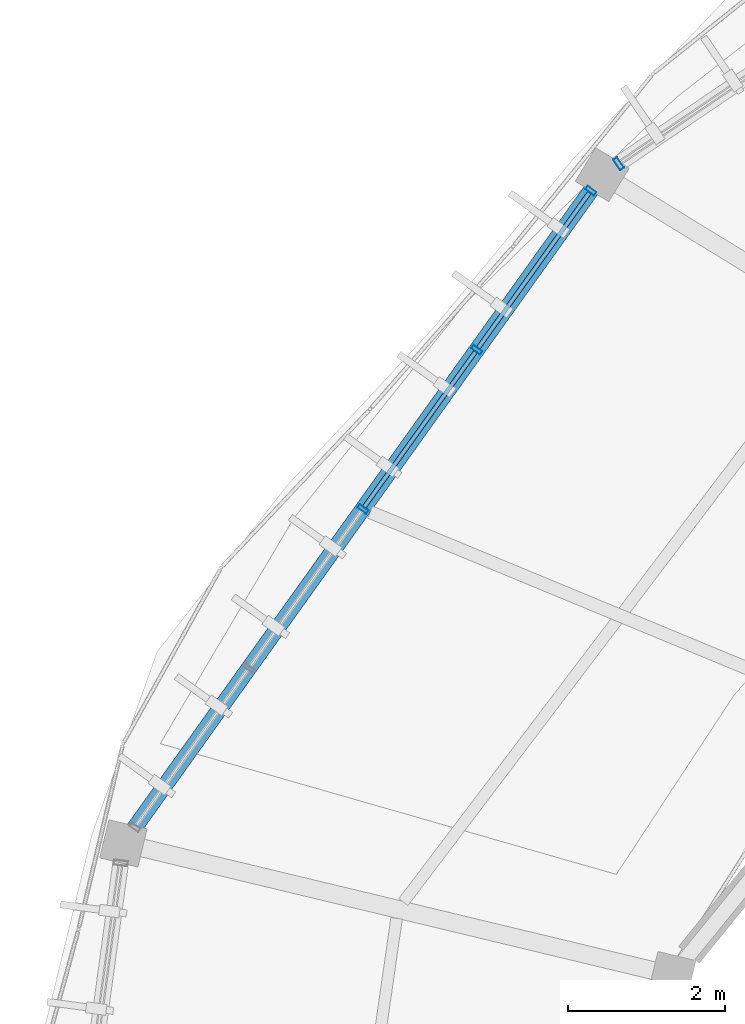
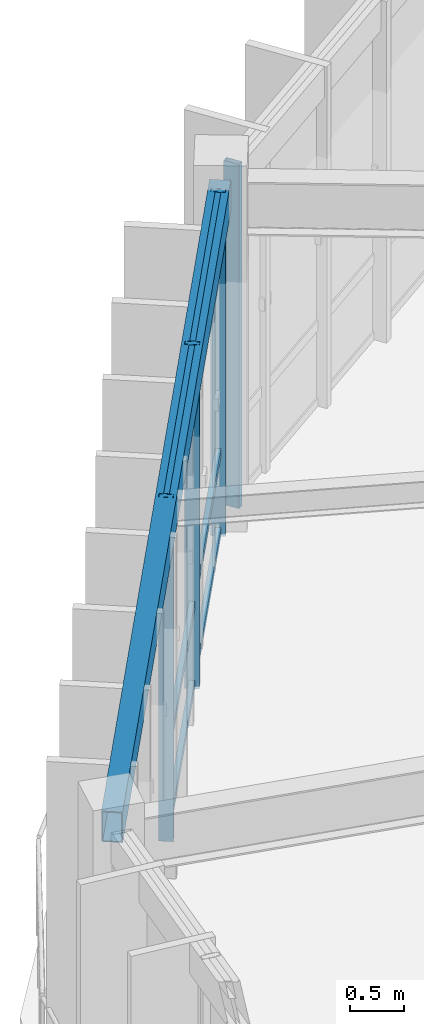
# One storey, part 25 of 78: 10 members, 1 beam, 2 elements without a shape of their own.
"""IFC4 building model written with IfcOpenShell, lengths in metres."""

from ifc_helpers import new_model, si_unit, direction, frame, origin, origin_2d, place, context, subcontext, project, spatial, hollow_rectangle, extrude, material, material_profile, profile_set, type_object, element, aggregate, save


model = new_model("IFC4")

# Units and contexts
model_context = context("Model", 3, precision=1e-05, world=origin(), true_north=direction((0.0, 1.0)))
body_context = subcontext(model_context, "Body", "Model", "MODEL_VIEW")
ifc_project = project(units=[si_unit("LENGTHUNIT", "METRE"), si_unit("AREAUNIT", "SQUARE_METRE"), si_unit("VOLUMEUNIT", "CUBIC_METRE"), si_unit("PLANEANGLEUNIT", "RADIAN"), si_unit("MASSUNIT", "GRAM", prefix="KILO"), si_unit("THERMODYNAMICTEMPERATUREUNIT", "KELVIN"), si_unit("POWERUNIT", "WATT")], contexts=[model_context])

# Site, building, storey
site_placement = place(None, origin())
site = spatial("IfcSite", under=ifc_project, at=site_placement, CompositionType="ELEMENT")
building_placement = place(site_placement, origin())
building = spatial("IfcBuilding", under=site, at=building_placement, Name="Darbajah Civic Hall", CompositionType="ELEMENT")
storey_placement = place(building_placement, frame((0.0, 0.0, 26.39990234375)))
storey = spatial("IfcBuildingStorey", under=building, at=storey_placement, Name="L06", CompositionType="ELEMENT", Elevation=26.39990234375)

# Curtain wall, members
ifc_material_1 = material(Name="Anodised Bronze Aluminium and Low-E Glazing", Category="aluminium")
curtain_wall_type_1 = type_object("IfcCurtainWallType", Name="Unitised Curtain Wall CW-88 10000x3900", PredefinedType="USERDEFINED", material=ifc_material_1)
curtain_wall_1_placement = place(storey_placement, origin())
curtain_wall_1 = element("IfcCurtainWall", 1, at=curtain_wall_1_placement, inside=storey, type_object=curtain_wall_type_1, Name="L06 unitised curtain wall CW-V1O-L06-08", ObjectType="UNITISED CURTAIN WALL", PredefinedType="USERDEFINED")
ifc_material_2 = material(Name="Anodised Bronze Aluminium", Category="aluminium")
ifc_material_profile_1 = material_profile(ifc_material_2, hollow_rectangle(XDim=0.054931640625, YDim=0.139892578125, WallThickness=0.003173828125, at=origin_2d()), Name="ALU MULLION 55x140")
ifc_profile_set_1 = profile_set([ifc_material_profile_1], Name="Anodised Bronze Aluminium")
member_type_1 = type_object("IfcMemberType", Name="ALU MULLION 55x140", PredefinedType="MULLION", material=ifc_profile_set_1)
member_1_placement = place(storey_placement, frame((45.46875, 105.0087890625, 0.0), z_axis=(0.0, 0.0, 1.0), x_axis=(-0.582264874145, -0.812999149039, 0.0)))
member_1 = element("IfcMember", 2, at=member_1_placement, type_object=member_type_1, Name="CW-V1O-L06-08 mullion 1", PredefinedType="MULLION", context=body_context, shape_type="SweptSolid", body=[
    extrude(hollow_rectangle(XDim=0.054931640625, YDim=0.139892578125, WallThickness=0.003173828125, at=origin_2d()), origin(), (0.0, 0.0, 1.0), 3.920166015625),
])
member_2_placement = place(storey_placement, frame((44.015380859375, 102.9794921875, 0.0), z_axis=(0.0, 0.0, 1.0), x_axis=(-0.582264874145, -0.812999149039, 0.0)))
member_2 = element("IfcMember", 3, at=member_2_placement, type_object=member_type_1, Name="CW-V1O-L06-08 mullion 2", PredefinedType="MULLION", context=body_context, shape_type="SweptSolid", body=[
    extrude(hollow_rectangle(XDim=0.054931640625, YDim=0.139892578125, WallThickness=0.003173828125, at=origin_2d()), origin(), (0.0, 0.0, 1.0), 3.920166015625),
])
member_3_placement = place(storey_placement, frame((42.562255859375, 100.9501953125, 0.0), z_axis=(0.0, 0.0, 1.0), x_axis=(-0.582264874145, -0.812999149039, 0.0)))
member_3 = element("IfcMember", 4, at=member_3_placement, type_object=member_type_1, Name="CW-V1O-L06-08 mullion 3", PredefinedType="MULLION", context=body_context, shape_type="SweptSolid", body=[
    extrude(hollow_rectangle(XDim=0.054931640625, YDim=0.139892578125, WallThickness=0.003173828125, at=origin_2d()), origin(), (0.0, 0.0, 1.0), 3.920166015625),
])

# Curtain wall, member
curtain_wall_type_2 = type_object("IfcCurtainWallType", Name="Unitised Curtain Wall CW-81 12000x3900", PredefinedType="USERDEFINED", material=ifc_material_1)
curtain_wall_2_placement = place(storey_placement, origin())
curtain_wall_2 = element("IfcCurtainWall", 5, at=curtain_wall_2_placement, inside=storey, type_object=curtain_wall_type_2, Name="L06 unitised curtain wall CW-V1O-L06-07", ObjectType="UNITISED CURTAIN WALL", PredefinedType="USERDEFINED")
ifc_material_profile_2 = material_profile(ifc_material_2, hollow_rectangle(XDim=0.06005859375, YDim=0.159912109375, WallThickness=0.00341796875, at=origin_2d()), Name="ALU MULLION 60x160")
ifc_profile_set_2 = profile_set([ifc_material_profile_2], Name="Anodised Bronze Aluminium")
member_type_2 = type_object("IfcMemberType", Name="ALU MULLION 60x160", PredefinedType="MULLION", material=ifc_profile_set_2)
member_4_placement = place(storey_placement, frame((45.82421875, 105.35498046875, 0.0), z_axis=(0.0, 0.0, 1.0), x_axis=(-0.827962472047, -0.560783509816, 0.0)))
member_4 = element("IfcMember", 6, at=member_4_placement, type_object=member_type_2, Name="CW-V1O-L06-07 mullion 5", PredefinedType="MULLION", context=body_context, shape_type="SweptSolid", body=[
    extrude(hollow_rectangle(XDim=0.06005859375, YDim=0.159912109375, WallThickness=0.00341796875, at=origin_2d()), origin(), (0.0, 0.0, 1.0), 3.920166015625),
])
aggregate(curtain_wall_2, [member_4])

# Member
ifc_material_profile_3 = material_profile(ifc_material_2, hollow_rectangle(XDim=0.054931640625, YDim=0.10009765625, WallThickness=0.0029296875, at=origin_2d()), Name="ALU TRANSOM 55x100")
ifc_profile_set_3 = profile_set([ifc_material_profile_3], Name="Anodised Bronze Aluminium")
member_type_3 = type_object("IfcMemberType", Name="ALU TRANSOM 55x100", PredefinedType="USERDEFINED", material=ifc_profile_set_3)
member_5_placement = place(storey_placement, frame((45.44970703125, 104.982421875, 0.050048828125), z_axis=(-0.5821782956, -0.813061149073, 0.0), x_axis=(0.813061149073, -0.5821782956, 0.0)))
member_5 = element("IfcMember", 7, at=member_5_placement, type_object=member_type_3, Name="CW-V1O-L06-08 transom 1.1", ObjectType="TRANSOM", PredefinedType="USERDEFINED", context=body_context, shape_type="SweptSolid", body=[
    extrude(hollow_rectangle(XDim=0.054931640625, YDim=0.10009765625, WallThickness=0.0029296875, at=origin_2d()), origin(), (0.0, 0.0, 1.0), 2.430908203125),
])

member_6_placement = place(storey_placement, frame((45.44970703125, 104.982421875, 0.9501953125), z_axis=(-0.5821782956, -0.813061149073, 0.0), x_axis=(0.813061149073, -0.5821782956, 0.0)))
member_6 = element("IfcMember", 8, at=member_6_placement, type_object=member_type_3, Name="CW-V1O-L06-08 transom 1.2", ObjectType="TRANSOM", PredefinedType="USERDEFINED", context=body_context, shape_type="SweptSolid", body=[
    extrude(hollow_rectangle(XDim=0.054931640625, YDim=0.10009765625, WallThickness=0.0029296875, at=origin_2d()), origin(), (0.0, 0.0, 1.0), 2.430908203125),
])

member_7_placement = place(storey_placement, frame((45.44970703125, 104.982421875, 3.8701171875), z_axis=(-0.5821782956, -0.813061149073, 0.0), x_axis=(0.813061149073, -0.5821782956, 0.0)))
member_7 = element("IfcMember", 9, at=member_7_placement, type_object=member_type_3, Name="CW-V1O-L06-08 transom 1.3", ObjectType="TRANSOM", PredefinedType="USERDEFINED", context=body_context, shape_type="SweptSolid", body=[
    extrude(hollow_rectangle(XDim=0.054931640625, YDim=0.10009765625, WallThickness=0.0029296875, at=origin_2d()), origin(), (0.0, 0.0, 1.0), 2.430908203125),
])

member_8_placement = place(storey_placement, frame((43.99658203125, 102.953125, 0.050048828125), z_axis=(-0.5821782956, -0.813061149073, 0.0), x_axis=(0.813061149073, -0.5821782956, 0.0)))
member_8 = element("IfcMember", 10, at=member_8_placement, type_object=member_type_3, Name="CW-V1O-L06-08 transom 2.1", ObjectType="TRANSOM", PredefinedType="USERDEFINED", context=body_context, shape_type="SweptSolid", body=[
    extrude(hollow_rectangle(XDim=0.054931640625, YDim=0.10009765625, WallThickness=0.0029296875, at=origin_2d()), origin(), (0.0, 0.0, 1.0), 2.430908203125),
])

member_9_placement = place(storey_placement, frame((43.99658203125, 102.953125, 0.9501953125), z_axis=(-0.5821782956, -0.813061149073, 0.0), x_axis=(0.813061149073, -0.5821782956, 0.0)))
member_9 = element("IfcMember", 11, at=member_9_placement, type_object=member_type_3, Name="CW-V1O-L06-08 transom 2.2", ObjectType="TRANSOM", PredefinedType="USERDEFINED", context=body_context, shape_type="SweptSolid", body=[
    extrude(hollow_rectangle(XDim=0.054931640625, YDim=0.10009765625, WallThickness=0.0029296875, at=origin_2d()), origin(), (0.0, 0.0, 1.0), 2.430908203125),
])

member_10_placement = place(storey_placement, frame((43.99658203125, 102.953125, 3.8701171875), z_axis=(-0.5821782956, -0.813061149073, 0.0), x_axis=(0.813061149073, -0.5821782956, 0.0)))
member_10 = element("IfcMember", 12, at=member_10_placement, type_object=member_type_3, Name="CW-V1O-L06-08 transom 2.3", ObjectType="TRANSOM", PredefinedType="USERDEFINED", context=body_context, shape_type="SweptSolid", body=[
    extrude(hollow_rectangle(XDim=0.054931640625, YDim=0.10009765625, WallThickness=0.0029296875, at=origin_2d()), origin(), (0.0, 0.0, 1.0), 2.430908203125),
])

aggregate(curtain_wall_1, [member_1, member_2, member_3, member_5, member_6, member_7, member_8, member_9, member_10])

# Beam
ifc_material_3 = material(Name="Steel S355JR", Category="steel")
ifc_material_profile_4 = material_profile(ifc_material_3, hollow_rectangle(XDim=0.199951171875, YDim=0.35009765625, WallThickness=0.012451171875, at=origin_2d()), Name="RHS 350x200x12.5")
ifc_profile_set_4 = profile_set([ifc_material_profile_4], Name="Steel S355JR")
beam_type = type_object("IfcBeamType", Name="RHS 350x200x12.5", PredefinedType="SPANDREL", material=ifc_profile_set_4)
beam_placement = place(storey_placement, frame((45.56884765625, 105.148681640625, 3.7451171875), z_axis=(-0.58222165068, -0.813030103674, 0.0), x_axis=(0.813030103674, -0.58222165068, 0.0)))
element("IfcBeam", 13, at=beam_placement, inside=storey, type_object=beam_type, Name="L06 beam SP-RHS350", PredefinedType="SPANDREL", context=body_context, shape_type="SweptSolid", body=[
    extrude(hollow_rectangle(XDim=0.199951171875, YDim=0.35009765625, WallThickness=0.012451171875, at=origin_2d()), origin(), (0.0, 0.0, 1.0), 10.327880859375),
])

save(model, "model.ifc")
